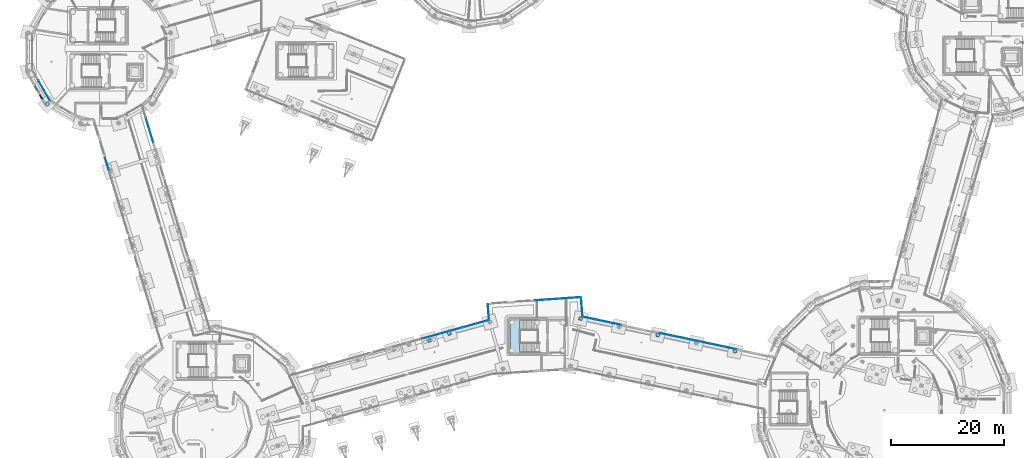
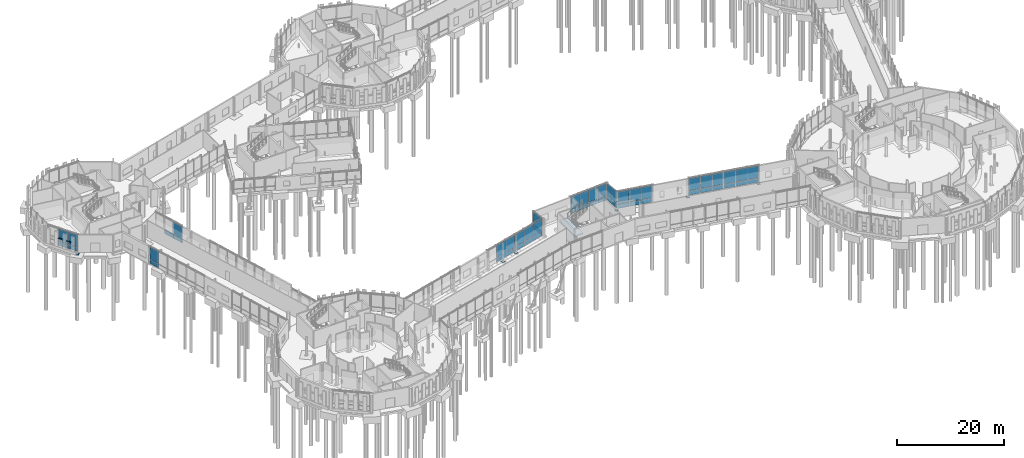
# One storey, part 66 of 113: 57 plates, 1 slab, 12 elements without a shape of their own.
"""IFC4 building model written with IfcOpenShell, lengths in metres."""

from ifc_helpers import new_model, si_unit, direction, frame, origin, origin_2d, place, context, subcontext, project, spatial, polyline, rectangle, outline, extrude, material, layer, layer_set, type_object, element, aggregate, save


model = new_model("IFC4")

# Units and contexts
model_context = context("Model", 3, precision=1e-05, world=origin(), true_north=direction((0.0, 1.0)))
body_context = subcontext(model_context, "Body", "Model", "MODEL_VIEW")
ifc_project = project(units=[si_unit("LENGTHUNIT", "METRE"), si_unit("AREAUNIT", "SQUARE_METRE"), si_unit("VOLUMEUNIT", "CUBIC_METRE"), si_unit("PLANEANGLEUNIT", "RADIAN"), si_unit("MASSUNIT", "GRAM", prefix="KILO")], contexts=[model_context])

# Site, building, storey
site_placement = place(None, origin())
site = spatial("IfcSite", under=ifc_project, at=site_placement, CompositionType="ELEMENT")
building_placement = place(site_placement, origin())
building = spatial("IfcBuilding", under=site, at=building_placement, Name="Wrenclough Park School", CompositionType="ELEMENT")
storey_placement = place(building_placement, origin())
storey = spatial("IfcBuildingStorey", under=building, at=storey_placement, Name="L00", CompositionType="ELEMENT", Elevation=0.0)

# Curtain wall, plates
ifc_material_1 = material(Name="Thermally broken aluminium and low-e glass curtain wall", Category="aluminium")
curtain_wall_type_1 = type_object("IfcCurtainWallType", Name="ENV-CW-05", PredefinedType="USERDEFINED", material=ifc_material_1)
curtain_wall_1_placement = place(storey_placement, origin())
curtain_wall_1 = element("IfcCurtainWall", 1, at=curtain_wall_1_placement, inside=storey, type_object=curtain_wall_type_1, Name="L00 recessed curtain wall assembly 052", ObjectType="CURTAIN WALL", PredefinedType="USERDEFINED")
ifc_material_2 = material(Name="Double-glazed solar-control low-e glass", Category="glass")
ifc_layer_1 = layer(ifc_material_2, 0.02587890625)
ifc_layer_set_1 = layer_set([ifc_layer_1], Name="Double-glazed solar-control low-e glass")
plate_type_1 = type_object("IfcPlateType", Name="ENV-CWP-GL26", PredefinedType="CURTAIN_PANEL", material=ifc_layer_set_1)
plate_1_placement = place(storey_placement, frame((94.613525390625, 45.538330078125, 0.06494140625), z_axis=(0.0, 0.0, 1.0), x_axis=(0.997564294709, 0.069752977869, 0.0)))
plate_1 = element("IfcPlate", 2, at=plate_1_placement, type_object=plate_type_1, Name="CW-05 panel 1.1", PredefinedType="CURTAIN_PANEL", context=body_context, shape_type="SweptSolid", body=[
    extrude(rectangle(XDim=1.970458984375, YDim=0.02587890625, at=origin_2d()), origin(), (0.0, 0.0, 1.0), 0.952392578125),
])
plate_2_placement = place(storey_placement, frame((94.613525390625, 45.538330078125, 1.08251953125), z_axis=(0.0, 0.0, 1.0), x_axis=(0.997564294709, 0.069752977869, 0.0)))
plate_2 = element("IfcPlate", 3, at=plate_2_placement, type_object=plate_type_1, Name="CW-05 panel 1.2", PredefinedType="CURTAIN_PANEL", context=body_context, shape_type="SweptSolid", body=[
    extrude(rectangle(XDim=1.970458984375, YDim=0.02587890625, at=origin_2d()), origin(), (0.0, 0.0, 1.0), 2.79248046875),
])
plate_3_placement = place(storey_placement, frame((96.660400390625, 45.681396484375, 0.06494140625), z_axis=(0.0, 0.0, 1.0), x_axis=(0.997564294709, 0.069752977869, 0.0)))
plate_3 = element("IfcPlate", 4, at=plate_3_placement, type_object=plate_type_1, Name="CW-05 panel 2.1", PredefinedType="CURTAIN_PANEL", context=body_context, shape_type="SweptSolid", body=[
    extrude(rectangle(XDim=2.0029296875, YDim=0.02587890625, at=origin_2d()), origin(), (0.0, 0.0, 1.0), 0.952392578125),
])
plate_4_placement = place(storey_placement, frame((96.660400390625, 45.681396484375, 1.08251953125), z_axis=(0.0, 0.0, 1.0), x_axis=(0.997564294709, 0.069752977869, 0.0)))
plate_4 = element("IfcPlate", 5, at=plate_4_placement, type_object=plate_type_1, Name="CW-05 panel 2.2", PredefinedType="CURTAIN_PANEL", context=body_context, shape_type="SweptSolid", body=[
    extrude(rectangle(XDim=2.0029296875, YDim=0.02587890625, at=origin_2d()), origin(), (0.0, 0.0, 1.0), 2.79248046875),
])
plate_5_placement = place(storey_placement, frame((98.723388671875, 45.82568359375, 0.06494140625), z_axis=(0.0, 0.0, 1.0), x_axis=(0.997564294709, 0.069752977869, 0.0)))
plate_5 = element("IfcPlate", 6, at=plate_5_placement, type_object=plate_type_1, Name="CW-05 panel 3.1", PredefinedType="CURTAIN_PANEL", context=body_context, shape_type="SweptSolid", body=[
    extrude(rectangle(XDim=2.0029296875, YDim=0.02587890625, at=origin_2d()), origin(), (0.0, 0.0, 1.0), 0.952392578125),
])
plate_6_placement = place(storey_placement, frame((98.723388671875, 45.82568359375, 1.08251953125), z_axis=(0.0, 0.0, 1.0), x_axis=(0.997564294709, 0.069752977869, 0.0)))
plate_6 = element("IfcPlate", 7, at=plate_6_placement, type_object=plate_type_1, Name="CW-05 panel 3.2", PredefinedType="CURTAIN_PANEL", context=body_context, shape_type="SweptSolid", body=[
    extrude(rectangle(XDim=2.0029296875, YDim=0.02587890625, at=origin_2d()), origin(), (0.0, 0.0, 1.0), 2.79248046875),
])
plate_7_placement = place(storey_placement, frame((100.77001953125, 45.96875, 0.06494140625), z_axis=(0.0, 0.0, 1.0), x_axis=(0.997564294709, 0.069752977869, 0.0)))
plate_7 = element("IfcPlate", 8, at=plate_7_placement, type_object=plate_type_1, Name="CW-05 panel 4.1", PredefinedType="CURTAIN_PANEL", context=body_context, shape_type="SweptSolid", body=[
    extrude(rectangle(XDim=1.970458984375, YDim=0.02587890625, at=origin_2d()), origin(), (0.0, 0.0, 1.0), 0.952392578125),
])
plate_8_placement = place(storey_placement, frame((100.77001953125, 45.96875, 1.08251953125), z_axis=(0.0, 0.0, 1.0), x_axis=(0.997564294709, 0.069752977869, 0.0)))
plate_8 = element("IfcPlate", 9, at=plate_8_placement, type_object=plate_type_1, Name="CW-05 panel 4.2", PredefinedType="CURTAIN_PANEL", context=body_context, shape_type="SweptSolid", body=[
    extrude(rectangle(XDim=1.970458984375, YDim=0.02587890625, at=origin_2d()), origin(), (0.0, 0.0, 1.0), 2.79248046875),
])
aggregate(curtain_wall_1, [plate_1, plate_2, plate_3, plate_4, plate_5, plate_6, plate_7, plate_8])

curtain_wall_type_2 = type_object("IfcCurtainWallType", Name="ENV-CW-09", PredefinedType="USERDEFINED", material=ifc_material_1)
curtain_wall_2_placement = place(storey_placement, origin())
curtain_wall_2 = element("IfcCurtainWall", 10, at=curtain_wall_2_placement, inside=storey, type_object=curtain_wall_type_2, Name="L00 recessed curtain wall assembly 056", ObjectType="CURTAIN WALL", PredefinedType="USERDEFINED")
plate_9_placement = place(storey_placement, frame((123.709716796875, 38.00341796875, 0.06982421875), z_axis=(0.0, 0.0, 1.0), x_axis=(0.978379013086, -0.206819986347, 0.0)))
plate_9 = element("IfcPlate", 11, at=plate_9_placement, type_object=plate_type_1, Name="CW-09 panel 1.1", PredefinedType="CURTAIN_PANEL", context=body_context, shape_type="SweptSolid", body=[
    extrude(rectangle(XDim=2.218994140625, YDim=0.02587890625, at=origin_2d()), origin(), (0.0, 0.0, 1.0), 0.945068359375),
])
plate_10_placement = place(storey_placement, frame((123.709716796875, 38.00341796875, 1.0849609375), z_axis=(0.0, 0.0, 1.0), x_axis=(0.978379013086, -0.206819986347, 0.0)))
plate_10 = element("IfcPlate", 12, at=plate_10_placement, type_object=plate_type_1, Name="CW-09 panel 1.2", PredefinedType="CURTAIN_PANEL", context=body_context, shape_type="SweptSolid", body=[
    extrude(rectangle(XDim=2.218994140625, YDim=0.02587890625, at=origin_2d()), origin(), (0.0, 0.0, 1.0), 2.784912109375),
])
plate_11_placement = place(storey_placement, frame((125.966552734375, 37.5263671875, 0.06982421875), z_axis=(0.0, 0.0, 1.0), x_axis=(0.978379013086, -0.206819986347, 0.0)))
plate_11 = element("IfcPlate", 13, at=plate_11_placement, type_object=plate_type_1, Name="CW-09 panel 2.1", PredefinedType="CURTAIN_PANEL", context=body_context, shape_type="SweptSolid", body=[
    extrude(rectangle(XDim=2.254150390625, YDim=0.02587890625, at=origin_2d()), origin(), (0.0, 0.0, 1.0), 0.945068359375),
])
plate_12_placement = place(storey_placement, frame((125.966552734375, 37.5263671875, 1.0849609375), z_axis=(0.0, 0.0, 1.0), x_axis=(0.978379013086, -0.206819986347, 0.0)))
plate_12 = element("IfcPlate", 14, at=plate_12_placement, type_object=plate_type_1, Name="CW-09 panel 2.2", PredefinedType="CURTAIN_PANEL", context=body_context, shape_type="SweptSolid", body=[
    extrude(rectangle(XDim=2.254150390625, YDim=0.02587890625, at=origin_2d()), origin(), (0.0, 0.0, 1.0), 2.784912109375),
])
plate_13_placement = place(storey_placement, frame((128.22314453125, 37.04931640625, 0.06982421875), z_axis=(0.0, 0.0, 1.0), x_axis=(0.978379013086, -0.206819986347, 0.0)))
plate_13 = element("IfcPlate", 15, at=plate_13_placement, type_object=plate_type_1, Name="CW-09 panel 3.1", PredefinedType="CURTAIN_PANEL", context=body_context, shape_type="SweptSolid", body=[
    extrude(rectangle(XDim=2.218994140625, YDim=0.02587890625, at=origin_2d()), origin(), (0.0, 0.0, 1.0), 0.945068359375),
])
plate_14_placement = place(storey_placement, frame((128.22314453125, 37.04931640625, 1.0849609375), z_axis=(0.0, 0.0, 1.0), x_axis=(0.978379013086, -0.206819986347, 0.0)))
plate_14 = element("IfcPlate", 16, at=plate_14_placement, type_object=plate_type_1, Name="CW-09 panel 3.2", PredefinedType="CURTAIN_PANEL", context=body_context, shape_type="SweptSolid", body=[
    extrude(rectangle(XDim=2.218994140625, YDim=0.02587890625, at=origin_2d()), origin(), (0.0, 0.0, 1.0), 2.784912109375),
])
aggregate(curtain_wall_2, [plate_9, plate_10, plate_11, plate_12, plate_13, plate_14])

curtain_wall_type_3 = type_object("IfcCurtainWallType", Name="ENV-CW-01", PredefinedType="USERDEFINED", material=ifc_material_1)
curtain_wall_3_placement = place(storey_placement, origin())
curtain_wall_3 = element("IfcCurtainWall", 17, at=curtain_wall_3_placement, inside=storey, type_object=curtain_wall_type_3, Name="L00 recessed curtain wall assembly 080", ObjectType="CURTAIN WALL", PredefinedType="USERDEFINED")
plate_15_placement = place(storey_placement, frame((25.041015625, 76.762451171875, 0.06982421875), z_axis=(0.0, 0.0, 1.0), x_axis=(0.289988669528, -0.957030078705, 0.0)))
plate_15 = element("IfcPlate", 18, at=plate_15_placement, type_object=plate_type_1, Name="CW-01 panel 2.1", PredefinedType="CURTAIN_PANEL", context=body_context, shape_type="SweptSolid", body=[
    extrude(rectangle(XDim=2.251953125, YDim=0.02587890625, at=origin_2d()), origin(), (0.0, 0.0, 1.0), 0.945068359375),
])
plate_16_placement = place(storey_placement, frame((25.709228515625, 74.556884765625, 0.06982421875), z_axis=(0.0, 0.0, 1.0), x_axis=(0.289988669528, -0.957030078705, 0.0)))
plate_16 = element("IfcPlate", 19, at=plate_16_placement, type_object=plate_type_1, Name="CW-01 panel 3.1", PredefinedType="CURTAIN_PANEL", context=body_context, shape_type="SweptSolid", body=[
    extrude(rectangle(XDim=2.217041015625, YDim=0.02587890625, at=origin_2d()), origin(), (0.0, 0.0, 1.0), 0.945068359375),
])
plate_17_placement = place(storey_placement, frame((25.709228515625, 74.556884765625, 1.0849609375), z_axis=(0.0, 0.0, 1.0), x_axis=(0.289988669528, -0.957030078705, 0.0)))
plate_17 = element("IfcPlate", 20, at=plate_17_placement, type_object=plate_type_1, Name="CW-01 panel 3.2", PredefinedType="CURTAIN_PANEL", context=body_context, shape_type="SweptSolid", body=[
    extrude(rectangle(XDim=2.217041015625, YDim=0.02587890625, at=origin_2d()), origin(), (0.0, 0.0, 1.0), 2.784912109375),
])
aggregate(curtain_wall_3, [plate_15, plate_16, plate_17])

curtain_wall_type_4 = type_object("IfcCurtainWallType", Name="ENV-CW-02", PredefinedType="USERDEFINED", material=ifc_material_1)
curtain_wall_4_placement = place(storey_placement, origin())
curtain_wall_4 = element("IfcCurtainWall", 21, at=curtain_wall_4_placement, inside=storey, type_object=curtain_wall_type_4, Name="L00 recessed curtain wall assembly 049", ObjectType="CURTAIN WALL", PredefinedType="USERDEFINED")
ifc_material_3 = material(Name="Double-glazed acoustic low-e glass", Category="glass")
ifc_layer_2 = layer(ifc_material_3, 0.030029296875)
ifc_layer_set_2 = layer_set([ifc_layer_2], Name="Double-glazed acoustic low-e glass")
plate_type_2 = type_object("IfcPlateType", Name="ENV-CWP-GL30", PredefinedType="CURTAIN_PANEL", material=ifc_layer_set_2)
plate_18_placement = place(storey_placement, frame((74.90087890625, 39.04345703125, 0.06494140625), z_axis=(0.0, 0.0, 1.0), x_axis=(0.963396230426, 0.268081523423, 0.0)))
plate_18 = element("IfcPlate", 22, at=plate_18_placement, type_object=plate_type_2, Name="CW-02 panel 2.1", PredefinedType="CURTAIN_PANEL", context=body_context, shape_type="SweptSolid", body=[
    extrude(rectangle(XDim=2.378173828125, YDim=0.030029296875, at=origin_2d()), origin(), (0.0, 0.0, 1.0), 0.952392578125),
])
plate_19_placement = place(storey_placement, frame((74.90087890625, 39.04345703125, 1.08251953125), z_axis=(0.0, 0.0, 1.0), x_axis=(0.963396230426, 0.268081523423, 0.0)))
plate_19 = element("IfcPlate", 23, at=plate_19_placement, type_object=plate_type_2, Name="CW-02 panel 2.2", PredefinedType="CURTAIN_PANEL", context=body_context, shape_type="SweptSolid", body=[
    extrude(rectangle(XDim=2.378173828125, YDim=0.030029296875, at=origin_2d()), origin(), (0.0, 0.0, 1.0), 2.79248046875),
])
plate_20_placement = place(storey_placement, frame((77.239013671875, 39.69384765625, 0.06494140625), z_axis=(0.0, 0.0, 1.0), x_axis=(0.963396230426, 0.268081523423, 0.0)))
plate_20 = element("IfcPlate", 24, at=plate_20_placement, type_object=plate_type_2, Name="CW-02 panel 3.1", PredefinedType="CURTAIN_PANEL", context=body_context, shape_type="SweptSolid", body=[
    extrude(rectangle(XDim=2.345703125, YDim=0.030029296875, at=origin_2d()), origin(), (0.0, 0.0, 1.0), 0.952392578125),
])
plate_21_placement = place(storey_placement, frame((77.239013671875, 39.69384765625, 1.08251953125), z_axis=(0.0, 0.0, 1.0), x_axis=(0.963396230426, 0.268081523423, 0.0)))
plate_21 = element("IfcPlate", 25, at=plate_21_placement, type_object=plate_type_2, Name="CW-02 panel 3.2", PredefinedType="CURTAIN_PANEL", context=body_context, shape_type="SweptSolid", body=[
    extrude(rectangle(XDim=2.345703125, YDim=0.030029296875, at=origin_2d()), origin(), (0.0, 0.0, 1.0), 2.79248046875),
])
aggregate(curtain_wall_4, [plate_18, plate_19, plate_20, plate_21])

curtain_wall_type_5 = type_object("IfcCurtainWallType", Name="ENV-CW-03", PredefinedType="USERDEFINED", material=ifc_material_1)
curtain_wall_5_placement = place(storey_placement, origin())
curtain_wall_5 = element("IfcCurtainWall", 26, at=curtain_wall_5_placement, inside=storey, type_object=curtain_wall_type_5, Name="L00 recessed curtain wall assembly 050", ObjectType="CURTAIN WALL", PredefinedType="USERDEFINED")
ifc_material_4 = material(Name="Triple-glazed senior-lab low-e glass", Category="glass")
ifc_layer_3 = layer(ifc_material_4, 0.033935546875)
ifc_layer_set_3 = layer_set([ifc_layer_3], Name="Triple-glazed senior-lab low-e glass")
plate_type_3 = type_object("IfcPlateType", Name="ENV-CWP-GL34", PredefinedType="CURTAIN_PANEL", material=ifc_layer_set_3)
plate_22_placement = place(storey_placement, frame((79.633056640625, 40.360107421875, 0.06982421875), z_axis=(0.0, 0.0, 1.0), x_axis=(0.963398773592, 0.268072383958, 0.0)))
plate_22 = element("IfcPlate", 27, at=plate_22_placement, type_object=plate_type_3, Name="CW-03 panel 1.1", PredefinedType="CURTAIN_PANEL", context=body_context, shape_type="SweptSolid", body=[
    extrude(rectangle(XDim=2.338134765625, YDim=0.033935546875, at=origin_2d()), origin(), (0.0, 0.0, 1.0), 0.945068359375),
])
plate_23_placement = place(storey_placement, frame((79.633056640625, 40.360107421875, 1.0849609375), z_axis=(0.0, 0.0, 1.0), x_axis=(0.963398773592, 0.268072383958, 0.0)))
plate_23 = element("IfcPlate", 28, at=plate_23_placement, type_object=plate_type_3, Name="CW-03 panel 1.2", PredefinedType="CURTAIN_PANEL", context=body_context, shape_type="SweptSolid", body=[
    extrude(rectangle(XDim=2.338134765625, YDim=0.033935546875, at=origin_2d()), origin(), (0.0, 0.0, 1.0), 2.784912109375),
])
plate_24_placement = place(storey_placement, frame((81.969970703125, 41.010498046875, 0.06982421875), z_axis=(0.0, 0.0, 1.0), x_axis=(0.963398773592, 0.268072383958, 0.0)))
plate_24 = element("IfcPlate", 29, at=plate_24_placement, type_object=plate_type_3, Name="CW-03 panel 2.1", PredefinedType="CURTAIN_PANEL", context=body_context, shape_type="SweptSolid", body=[
    extrude(rectangle(XDim=2.373046875, YDim=0.033935546875, at=origin_2d()), origin(), (0.0, 0.0, 1.0), 0.945068359375),
])
plate_25_placement = place(storey_placement, frame((81.969970703125, 41.010498046875, 1.0849609375), z_axis=(0.0, 0.0, 1.0), x_axis=(0.963398773592, 0.268072383958, 0.0)))
plate_25 = element("IfcPlate", 30, at=plate_25_placement, type_object=plate_type_3, Name="CW-03 panel 2.2", PredefinedType="CURTAIN_PANEL", context=body_context, shape_type="SweptSolid", body=[
    extrude(rectangle(XDim=2.373046875, YDim=0.033935546875, at=origin_2d()), origin(), (0.0, 0.0, 1.0), 2.784912109375),
])
plate_26_placement = place(storey_placement, frame((84.306884765625, 41.66064453125, 0.06982421875), z_axis=(0.0, 0.0, 1.0), x_axis=(0.963398773592, 0.268072383958, 0.0)))
plate_26 = element("IfcPlate", 31, at=plate_26_placement, type_object=plate_type_3, Name="CW-03 panel 3.1", PredefinedType="CURTAIN_PANEL", context=body_context, shape_type="SweptSolid", body=[
    extrude(rectangle(XDim=2.338134765625, YDim=0.033935546875, at=origin_2d()), origin(), (0.0, 0.0, 1.0), 0.945068359375),
])
plate_27_placement = place(storey_placement, frame((84.306884765625, 41.66064453125, 1.0849609375), z_axis=(0.0, 0.0, 1.0), x_axis=(0.963398773592, 0.268072383958, 0.0)))
plate_27 = element("IfcPlate", 32, at=plate_27_placement, type_object=plate_type_3, Name="CW-03 panel 3.2", PredefinedType="CURTAIN_PANEL", context=body_context, shape_type="SweptSolid", body=[
    extrude(rectangle(XDim=2.338134765625, YDim=0.033935546875, at=origin_2d()), origin(), (0.0, 0.0, 1.0), 2.784912109375),
])
aggregate(curtain_wall_5, [plate_22, plate_23, plate_24, plate_25, plate_26, plate_27])

curtain_wall_type_6 = type_object("IfcCurtainWallType", Name="ENV-CW-04", PredefinedType="USERDEFINED", material=ifc_material_1)
curtain_wall_6_placement = place(storey_placement, origin())
curtain_wall_6 = element("IfcCurtainWall", 33, at=curtain_wall_6_placement, inside=storey, type_object=curtain_wall_type_6, Name="L00 recessed curtain wall assembly 051", ObjectType="CURTAIN WALL", PredefinedType="USERDEFINED")
ifc_material_5 = material(Name="Laminated sports-concourse safety glass", Category="glass")
ifc_layer_4 = layer(ifc_material_5, 0.0380859375)
ifc_layer_set_4 = layer_set([ifc_layer_4], Name="Laminated sports-concourse safety glass")
plate_type_4 = type_object("IfcPlateType", Name="ENV-CWP-GL38", PredefinedType="CURTAIN_PANEL", material=ifc_layer_set_4)
plate_28_placement = place(storey_placement, frame((85.4033203125, 43.4404296875, 0.06005859375), z_axis=(0.0, 0.0, 1.0), x_axis=(-0.06973588855, 0.997565489503, 0.0)))
plate_28 = element("IfcPlate", 34, at=plate_28_placement, type_object=plate_type_4, Name="CW-04 panel 1.1", PredefinedType="CURTAIN_PANEL", context=body_context, shape_type="SweptSolid", body=[
    extrude(rectangle(XDim=2.7724609375, YDim=0.0380859375, at=origin_2d()), origin(), (0.0, 0.0, 1.0), 0.9599609375),
])
plate_29_placement = place(storey_placement, frame((85.4033203125, 43.4404296875, 1.080078125), z_axis=(0.0, 0.0, 1.0), x_axis=(-0.06973588855, 0.997565489503, 0.0)))
plate_29 = element("IfcPlate", 35, at=plate_29_placement, type_object=plate_type_4, Name="CW-04 panel 1.2", PredefinedType="CURTAIN_PANEL", context=body_context, shape_type="SweptSolid", body=[
    extrude(rectangle(XDim=2.7724609375, YDim=0.0380859375, at=origin_2d()), origin(), (0.0, 0.0, 1.0), 2.800048828125),
])
aggregate(curtain_wall_6, [plate_28, plate_29])

curtain_wall_type_7 = type_object("IfcCurtainWallType", Name="ENV-CW-06", PredefinedType="USERDEFINED", material=ifc_material_1)
curtain_wall_7_placement = place(storey_placement, origin())
curtain_wall_7 = element("IfcCurtainWall", 36, at=curtain_wall_7_placement, inside=storey, type_object=curtain_wall_type_7, Name="L00 recessed curtain wall assembly 053", ObjectType="CURTAIN WALL", PredefinedType="USERDEFINED")
ifc_material_6 = material(Name="Insulated anodised aluminium spandrel panel", Category="aluminium")
ifc_layer_5 = layer(ifc_material_6, 0.0419921875)
ifc_layer_set_5 = layer_set([ifc_layer_5], Name="Insulated anodised aluminium spandrel panel")
plate_type_5 = type_object("IfcPlateType", Name="ENV-CWP-SP42", PredefinedType="CURTAIN_PANEL", material=ifc_layer_set_5)
plate_30_placement = place(storey_placement, frame((101.94287109375, 44.310546875, 0.06982421875), z_axis=(0.0, 0.0, 1.0), x_axis=(0.069718523753, -0.997566703256, 0.0)))
plate_30 = element("IfcPlate", 37, at=plate_30_placement, type_object=plate_type_5, Name="CW-06 panel 1.1", PredefinedType="CURTAIN_PANEL", context=body_context, shape_type="SweptSolid", body=[
    extrude(rectangle(XDim=3.323974609375, YDim=0.0419921875, at=origin_2d()), origin(), (0.0, 0.0, 1.0), 0.945068359375),
])
plate_31_placement = place(storey_placement, frame((101.94287109375, 44.310546875, 1.0849609375), z_axis=(0.0, 0.0, 1.0), x_axis=(0.069718523753, -0.997566703256, 0.0)))
plate_31 = element("IfcPlate", 38, at=plate_31_placement, type_object=plate_type_5, Name="CW-06 panel 1.2", PredefinedType="CURTAIN_PANEL", context=body_context, shape_type="SweptSolid", body=[
    extrude(rectangle(XDim=3.323974609375, YDim=0.0419921875, at=origin_2d()), origin(), (0.0, 0.0, 1.0), 2.784912109375),
])
aggregate(curtain_wall_7, [plate_30, plate_31])

curtain_wall_type_8 = type_object("IfcCurtainWallType", Name="ENV-CW-07", PredefinedType="USERDEFINED", material=ifc_material_1)
curtain_wall_8_placement = place(storey_placement, origin())
curtain_wall_8 = element("IfcCurtainWall", 39, at=curtain_wall_8_placement, inside=storey, type_object=curtain_wall_type_8, Name="L00 recessed curtain wall assembly 006", ObjectType="CURTAIN WALL", PredefinedType="USERDEFINED")
ifc_material_7 = material(Name="Insulated patinated copper-toned spandrel panel", Category="aluminium")
ifc_layer_6 = layer(ifc_material_7, 0.048095703125)
ifc_layer_set_6 = layer_set([ifc_layer_6], Name="Insulated patinated copper-toned spandrel panel")
plate_type_6 = type_object("IfcPlateType", Name="ENV-CWP-SP48", PredefinedType="CURTAIN_PANEL", material=ifc_layer_set_6)
plate_32_placement = place(storey_placement, frame((17.8212890625, 69.69189453125, 0.06005859375), z_axis=(0.0, 0.0, 1.0), x_axis=(-0.290001100386, 0.957026311955, 0.0)))
plate_32 = element("IfcPlate", 40, at=plate_32_placement, type_object=plate_type_6, Name="CW-07 panel 3.1", PredefinedType="CURTAIN_PANEL", context=body_context, shape_type="SweptSolid", body=[
    extrude(rectangle(XDim=2.261474609375, YDim=0.048095703125, at=origin_2d()), origin(), (0.0, 0.0, 1.0), 0.9599609375),
])
plate_33_placement = place(storey_placement, frame((17.8212890625, 69.69189453125, 1.080078125), z_axis=(0.0, 0.0, 1.0), x_axis=(-0.290001100386, 0.957026311955, 0.0)))
plate_33 = element("IfcPlate", 41, at=plate_33_placement, type_object=plate_type_6, Name="CW-07 panel 3.2", PredefinedType="CURTAIN_PANEL", context=body_context, shape_type="SweptSolid", body=[
    extrude(rectangle(XDim=2.261474609375, YDim=0.048095703125, at=origin_2d()), origin(), (0.0, 0.0, 1.0), 2.800048828125),
])
aggregate(curtain_wall_8, [plate_32, plate_33])

curtain_wall_9_placement = place(storey_placement, origin())
curtain_wall_9 = element("IfcCurtainWall", 42, at=curtain_wall_9_placement, inside=storey, type_object=curtain_wall_type_8, Name="L00 recessed curtain wall assembly 054", ObjectType="CURTAIN WALL", PredefinedType="USERDEFINED")
plate_34_placement = place(storey_placement, frame((103.219482421875, 42.33447265625, 0.06005859375), z_axis=(0.0, 0.0, 1.0), x_axis=(0.978379013086, -0.206819986347, 0.0)))
plate_34 = element("IfcPlate", 43, at=plate_34_placement, type_object=plate_type_6, Name="CW-07 panel 1.1", PredefinedType="CURTAIN_PANEL", context=body_context, shape_type="SweptSolid", body=[
    extrude(rectangle(XDim=2.234130859375, YDim=0.048095703125, at=origin_2d()), origin(), (0.0, 0.0, 1.0), 0.9599609375),
])
plate_35_placement = place(storey_placement, frame((103.219482421875, 42.33447265625, 1.080078125), z_axis=(0.0, 0.0, 1.0), x_axis=(0.978379013086, -0.206819986347, 0.0)))
plate_35 = element("IfcPlate", 44, at=plate_35_placement, type_object=plate_type_6, Name="CW-07 panel 1.2", PredefinedType="CURTAIN_PANEL", context=body_context, shape_type="SweptSolid", body=[
    extrude(rectangle(XDim=2.234130859375, YDim=0.048095703125, at=origin_2d()), origin(), (0.0, 0.0, 1.0), 2.800048828125),
])
plate_36_placement = place(storey_placement, frame((105.478515625, 41.85693359375, 0.06005859375), z_axis=(0.0, 0.0, 1.0), x_axis=(0.978379013086, -0.206819986347, 0.0)))
plate_36 = element("IfcPlate", 45, at=plate_36_placement, type_object=plate_type_6, Name="CW-07 panel 2.1", PredefinedType="CURTAIN_PANEL", context=body_context, shape_type="SweptSolid", body=[
    extrude(rectangle(XDim=2.26416015625, YDim=0.048095703125, at=origin_2d()), origin(), (0.0, 0.0, 1.0), 0.9599609375),
])
plate_37_placement = place(storey_placement, frame((105.478515625, 41.85693359375, 1.080078125), z_axis=(0.0, 0.0, 1.0), x_axis=(0.978379013086, -0.206819986347, 0.0)))
plate_37 = element("IfcPlate", 46, at=plate_37_placement, type_object=plate_type_6, Name="CW-07 panel 2.2", PredefinedType="CURTAIN_PANEL", context=body_context, shape_type="SweptSolid", body=[
    extrude(rectangle(XDim=2.26416015625, YDim=0.048095703125, at=origin_2d()), origin(), (0.0, 0.0, 1.0), 2.800048828125),
])
plate_38_placement = place(storey_placement, frame((107.73779296875, 41.37939453125, 0.06005859375), z_axis=(0.0, 0.0, 1.0), x_axis=(0.978379013086, -0.206819986347, 0.0)))
plate_38 = element("IfcPlate", 47, at=plate_38_placement, type_object=plate_type_6, Name="CW-07 panel 3.1", PredefinedType="CURTAIN_PANEL", context=body_context, shape_type="SweptSolid", body=[
    extrude(rectangle(XDim=2.234130859375, YDim=0.048095703125, at=origin_2d()), origin(), (0.0, 0.0, 1.0), 0.9599609375),
])
plate_39_placement = place(storey_placement, frame((107.73779296875, 41.37939453125, 1.080078125), z_axis=(0.0, 0.0, 1.0), x_axis=(0.978379013086, -0.206819986347, 0.0)))
plate_39 = element("IfcPlate", 48, at=plate_39_placement, type_object=plate_type_6, Name="CW-07 panel 3.2", PredefinedType="CURTAIN_PANEL", context=body_context, shape_type="SweptSolid", body=[
    extrude(rectangle(XDim=2.234130859375, YDim=0.048095703125, at=origin_2d()), origin(), (0.0, 0.0, 1.0), 2.800048828125),
])
aggregate(curtain_wall_9, [plate_34, plate_35, plate_36, plate_37, plate_38, plate_39])

curtain_wall_type_9 = type_object("IfcCurtainWallType", Name="ENV-CW-08", PredefinedType="USERDEFINED", material=ifc_material_1)
curtain_wall_10_placement = place(storey_placement, origin())
curtain_wall_10 = element("IfcCurtainWall", 49, at=curtain_wall_10_placement, inside=storey, type_object=curtain_wall_type_9, Name="L00 recessed curtain wall assembly 007", ObjectType="CURTAIN WALL", PredefinedType="USERDEFINED")
ifc_material_8 = material(Name="Acoustic mineral-wool spandrel cassette", Category="aluminium")
ifc_layer_7 = layer(ifc_material_8, 0.053955078125)
ifc_layer_set_7 = layer_set([ifc_layer_7], Name="Acoustic mineral-wool spandrel cassette")
plate_type_7 = type_object("IfcPlateType", Name="ENV-CWP-SP54", PredefinedType="CURTAIN_PANEL", material=ifc_layer_set_7)
plate_40_placement = place(storey_placement, frame((7.2431640625, 81.7216796875, 0.06494140625), z_axis=(0.0, 0.0, 1.0), x_axis=(-0.499999121909, 0.86602591075, 0.0)))
plate_40 = element("IfcPlate", 50, at=plate_40_placement, type_object=plate_type_7, Name="CW-08 panel 1.1", PredefinedType="CURTAIN_PANEL", context=body_context, shape_type="SweptSolid", body=[
    extrude(rectangle(XDim=2.026611328125, YDim=0.053955078125, at=origin_2d()), origin(), (0.0, 0.0, 1.0), 0.952392578125),
])
plate_41_placement = place(storey_placement, frame((7.2431640625, 81.7216796875, 1.08251953125), z_axis=(0.0, 0.0, 1.0), x_axis=(-0.499999121909, 0.86602591075, 0.0)))
plate_41 = element("IfcPlate", 51, at=plate_41_placement, type_object=plate_type_7, Name="CW-08 panel 1.2", PredefinedType="CURTAIN_PANEL", context=body_context, shape_type="SweptSolid", body=[
    extrude(rectangle(XDim=2.026611328125, YDim=0.053955078125, at=origin_2d()), origin(), (0.0, 0.0, 1.0), 2.79248046875),
])
plate_42_placement = place(storey_placement, frame((6.189208984375, 83.547119140625, 0.06494140625), z_axis=(0.0, 0.0, 1.0), x_axis=(-0.499999121909, 0.86602591075, 0.0)))
plate_42 = element("IfcPlate", 52, at=plate_42_placement, type_object=plate_type_7, Name="CW-08 panel 2.1", PredefinedType="CURTAIN_PANEL", context=body_context, shape_type="SweptSolid", body=[
    extrude(rectangle(XDim=2.05908203125, YDim=0.053955078125, at=origin_2d()), origin(), (0.0, 0.0, 1.0), 0.952392578125),
])
plate_43_placement = place(storey_placement, frame((6.189208984375, 83.547119140625, 1.08251953125), z_axis=(0.0, 0.0, 1.0), x_axis=(-0.499999121909, 0.86602591075, 0.0)))
plate_43 = element("IfcPlate", 53, at=plate_43_placement, type_object=plate_type_7, Name="CW-08 panel 2.2", PredefinedType="CURTAIN_PANEL", context=body_context, shape_type="SweptSolid", body=[
    extrude(rectangle(XDim=2.05908203125, YDim=0.053955078125, at=origin_2d()), origin(), (0.0, 0.0, 1.0), 2.79248046875),
])
aggregate(curtain_wall_10, [plate_40, plate_41, plate_42, plate_43])

curtain_wall_11_placement = place(storey_placement, origin())
curtain_wall_11 = element("IfcCurtainWall", 54, at=curtain_wall_11_placement, inside=storey, type_object=curtain_wall_type_9, Name="L00 recessed curtain wall assembly 055", ObjectType="CURTAIN WALL", PredefinedType="USERDEFINED")
plate_44_placement = place(storey_placement, frame((116.879150390625, 39.447021484375, 0.06494140625), z_axis=(0.0, 0.0, 1.0), x_axis=(0.978381915195, -0.206806257207, 0.0)))
plate_44 = element("IfcPlate", 55, at=plate_44_placement, type_object=plate_type_7, Name="CW-08 panel 1.1", PredefinedType="CURTAIN_PANEL", context=body_context, shape_type="SweptSolid", body=[
    extrude(rectangle(XDim=2.2265625, YDim=0.053955078125, at=origin_2d()), origin(), (0.0, 0.0, 1.0), 0.952392578125),
])
plate_45_placement = place(storey_placement, frame((116.879150390625, 39.447021484375, 1.08251953125), z_axis=(0.0, 0.0, 1.0), x_axis=(0.978381915195, -0.206806257207, 0.0)))
plate_45 = element("IfcPlate", 56, at=plate_45_placement, type_object=plate_type_7, Name="CW-08 panel 1.2", PredefinedType="CURTAIN_PANEL", context=body_context, shape_type="SweptSolid", body=[
    extrude(rectangle(XDim=2.2265625, YDim=0.053955078125, at=origin_2d()), origin(), (0.0, 0.0, 1.0), 2.79248046875),
])
plate_46_placement = place(storey_placement, frame((119.13720703125, 38.969970703125, 0.06494140625), z_axis=(0.0, 0.0, 1.0), x_axis=(0.978381915195, -0.206806257207, 0.0)))
plate_46 = element("IfcPlate", 57, at=plate_46_placement, type_object=plate_type_7, Name="CW-08 panel 2.1", PredefinedType="CURTAIN_PANEL", context=body_context, shape_type="SweptSolid", body=[
    extrude(rectangle(XDim=2.259033203125, YDim=0.053955078125, at=origin_2d()), origin(), (0.0, 0.0, 1.0), 0.952392578125),
])
plate_47_placement = place(storey_placement, frame((119.13720703125, 38.969970703125, 1.08251953125), z_axis=(0.0, 0.0, 1.0), x_axis=(0.978381915195, -0.206806257207, 0.0)))
plate_47 = element("IfcPlate", 58, at=plate_47_placement, type_object=plate_type_7, Name="CW-08 panel 2.2", PredefinedType="CURTAIN_PANEL", context=body_context, shape_type="SweptSolid", body=[
    extrude(rectangle(XDim=2.259033203125, YDim=0.053955078125, at=origin_2d()), origin(), (0.0, 0.0, 1.0), 2.79248046875),
])
plate_48_placement = place(storey_placement, frame((121.39501953125, 38.49267578125, 0.06494140625), z_axis=(0.0, 0.0, 1.0), x_axis=(0.978381915195, -0.206806257207, 0.0)))
plate_48 = element("IfcPlate", 59, at=plate_48_placement, type_object=plate_type_7, Name="CW-08 panel 3.1", PredefinedType="CURTAIN_PANEL", context=body_context, shape_type="SweptSolid", body=[
    extrude(rectangle(XDim=2.2265625, YDim=0.053955078125, at=origin_2d()), origin(), (0.0, 0.0, 1.0), 0.952392578125),
])
plate_49_placement = place(storey_placement, frame((121.39501953125, 38.49267578125, 1.08251953125), z_axis=(0.0, 0.0, 1.0), x_axis=(0.978381915195, -0.206806257207, 0.0)))
plate_49 = element("IfcPlate", 60, at=plate_49_placement, type_object=plate_type_7, Name="CW-08 panel 3.2", PredefinedType="CURTAIN_PANEL", context=body_context, shape_type="SweptSolid", body=[
    extrude(rectangle(XDim=2.2265625, YDim=0.053955078125, at=origin_2d()), origin(), (0.0, 0.0, 1.0), 2.79248046875),
])
aggregate(curtain_wall_11, [plate_44, plate_45, plate_46, plate_47, plate_48, plate_49])

# Plates
ifc_material_9 = material(Name="Anodised architectural aluminium solar shading fin plate", Category="aluminium")
ifc_layer_8 = layer(ifc_material_9, 0.0380859375)
ifc_layer_set_8 = layer_set([ifc_layer_8], Name="Anodised architectural aluminium solar shading fin plate")
plate_type_8 = type_object("IfcPlateType", Name="ENV-PL-BSF", PredefinedType="SHEET", material=ifc_layer_set_8)
for number, where, z_axis, x_axis, name in (
    (61, (5.279296875, 83.021728515625, 2.4951171875), (0.0, 0.0, 1.0), (0.499990505441, -0.866030885401, 0.0), "D3 L00 open-bond brick screen tie band 0074"),
    (62, (6.1591796875, 81.49755859375, 2.4951171875), (0.0, 0.0, 1.0), (0.499990505441, -0.866030885401, 0.0), "D3 L00 open-bond brick screen tie band 0075"),
):
    element("IfcPlate", number, at=place(storey_placement, frame(where, z_axis=z_axis, x_axis=x_axis)), inside=storey, type_object=plate_type_8, Name=name, PredefinedType="SHEET", context=body_context, shape_type="SweptSolid", body=[
        extrude(rectangle(XDim=1.071044921875, YDim=0.219970703125, at=origin_2d()), origin(), (0.0, 0.0, 1.0), 0.0419921875),
    ])

# Stair, slab
ifc_material_10 = material(Name="Precast concrete C40/50", Category="concrete")
stair_type = type_object("IfcStairType", Name="INT-ST-180-42", PredefinedType="HALF_TURN_STAIR", material=ifc_material_10)
stair_placement = place(storey_placement, origin())
stair = element("IfcStair", 63, at=stair_placement, inside=storey, type_object=stair_type, Name="L00 escape stair ST-10", PredefinedType="HALF_TURN_STAIR")
ifc_layer_9 = layer(ifc_material_10, 0.195068359375)
ifc_layer_set_9 = layer_set([ifc_layer_9], Name="Precast concrete C40/50")
slab_type = type_object("IfcSlabType", Name="INT-SL-LAND195", PredefinedType="LANDING", material=ifc_layer_set_9)
slab_placement = place(storey_placement, frame((0.0, 0.0, 1.989013671875)))
slab = element("IfcSlab", 64, at=slab_placement, type_object=slab_type, Name="ST-10 landing 1", PredefinedType="LANDING", context=body_context, shape_type="SweptSolid", body=[
    extrude(outline(polyline([(89.199951171875, 36.199951171875), (91.02294921875, 36.199951171875), (91.02294921875, 42.0), (89.199951171875, 42.0), (89.199951171875, 36.199951171875)])), origin(), (0.0, 0.0, 1.0), 0.195068359375),
])
aggregate(stair, [slab])

# Plates
ifc_material_11 = material(Name="Structural steel S355", Category="steel")
ifc_layer_10 = layer(ifc_material_11, 0.031982421875)
ifc_layer_set_10 = layer_set([ifc_layer_10], Name="Structural steel S355")
plate_type_9 = type_object("IfcPlateType", Name="STR-PL-BP1", PredefinedType="SHEET", material=ifc_layer_set_10)
plate_50_placement = place(storey_placement, frame((7.272216796875, 80.272216796875, 0.0), z_axis=(0.0, 0.0, 1.0), x_axis=(0.707106781187, -0.707106781187, 0.0)))
element("IfcPlate", 65, at=plate_50_placement, inside=storey, type_object=plate_type_9, Name="Steel column baseplate D3-OUT-08", PredefinedType="SHEET", context=body_context, shape_type="SweptSolid", body=[
    extrude(rectangle(XDim=0.64990234375, YDim=0.64990234375, at=origin_2d()), origin(), (0.0, 0.0, 1.0), 0.031982421875),
])
ifc_layer_11 = layer(ifc_material_11, 0.030029296875)
ifc_layer_set_11 = layer_set([ifc_layer_11], Name="Structural steel S355")
plate_type_10 = type_object("IfcPlateType", Name="STR-PL-BP4", PredefinedType="SHEET", material=ifc_layer_set_11)
for number, where, z_axis, x_axis, name in (
    (66, (74.95361328125, 38.384765625, 0.0), (0.0, 0.0, 1.0), (0.964002648928, 0.265892634084, 0.0), "Steel column baseplate EAVE-ENTRANCE-B4"),
    (67, (78.472412109375, 39.642578125, 0.0), (0.0, 0.0, 1.0), (0.963396876837, 0.268079200424, 0.0), "Steel column baseplate W12-C1-L06"),
    (68, (101.72265625, 42.2626953125, 0.0), (0.0, 0.0, 1.0), (0.978364788978, -0.206887263232, 0.0), "Steel column baseplate W12-C2-L01"),
    (69, (115.389404296875, 39.373779296875, 0.0), (0.0, 0.0, 1.0), (0.978364788978, -0.206887263232, 0.0), "Steel column baseplate W12-C2-L03"),
    (70, (129.055908203125, 36.48486328125, 0.0), (0.0, 0.0, 1.0), (0.978364788978, -0.206887263232, 0.0), "Steel column baseplate W12-C2-L05"),
):
    element("IfcPlate", number, at=place(storey_placement, frame(where, z_axis=z_axis, x_axis=x_axis)), inside=storey, type_object=plate_type_10, Name=name, PredefinedType="SHEET", context=body_context, shape_type="SweptSolid", body=[
        extrude(rectangle(XDim=0.60009765625, YDim=0.60009765625, at=origin_2d()), origin(), (0.0, 0.0, 1.0), 0.030029296875),
    ])

save(model, "model.ifc")
